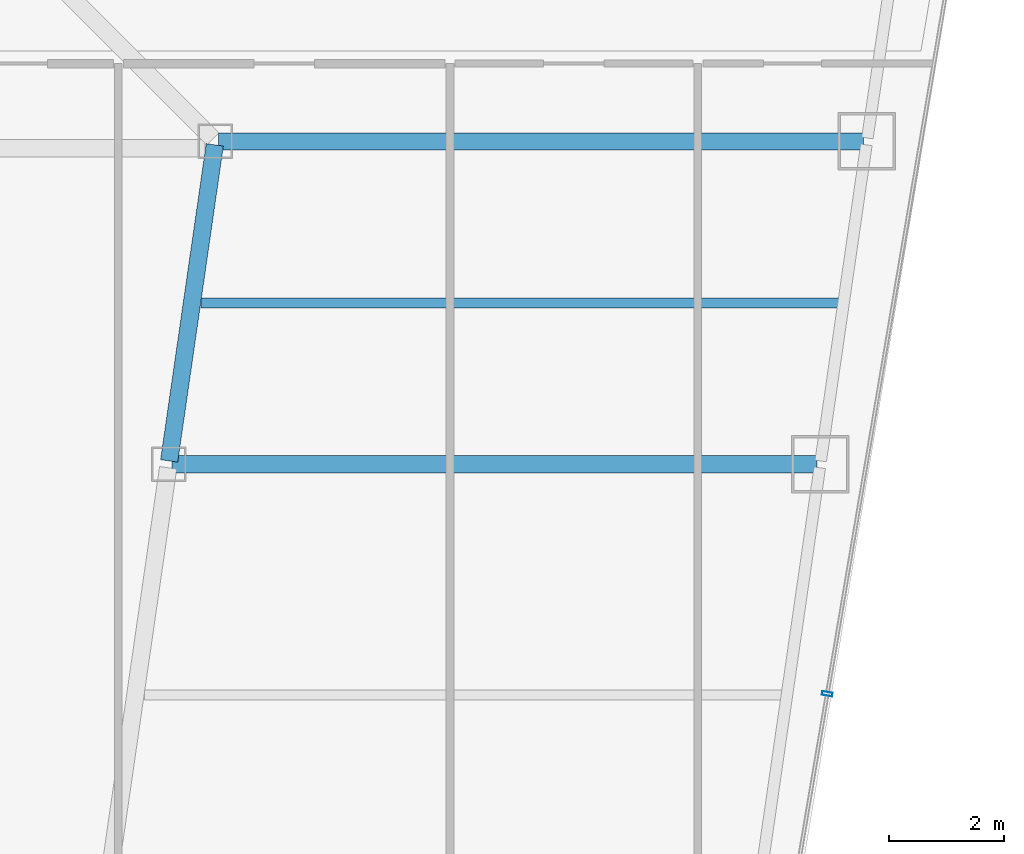
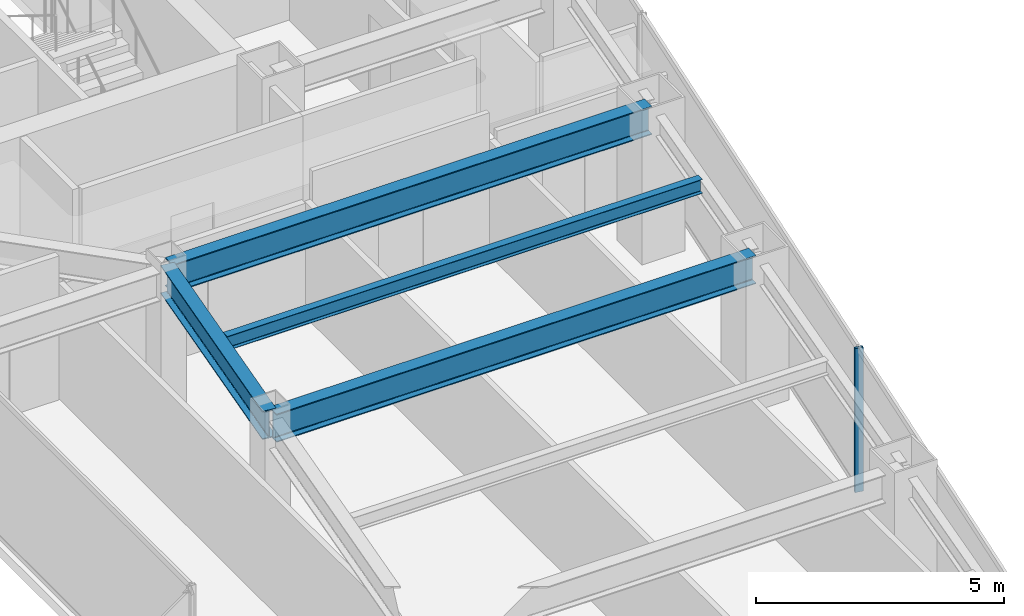
# One storey, part 11 of 31: 4 beams, 1 member, 1 element without a shape of its own.
"""IFC4 building model written with IfcOpenShell, lengths in metres."""

from ifc_helpers import new_model, si_unit, direction, frame, origin, origin_2d, place, context, subcontext, project, spatial, hollow_rectangle, i_section, extrude, material, material_profile, profile_set, type_object, element, aggregate, save


model = new_model("IFC4")

# Units and contexts
model_context = context("Model", 3, precision=1e-05, world=origin(), true_north=direction((0.0, 1.0)))
body_context = subcontext(model_context, "Body", "Model", "MODEL_VIEW")
ifc_project = project(units=[si_unit("LENGTHUNIT", "METRE"), si_unit("AREAUNIT", "SQUARE_METRE"), si_unit("VOLUMEUNIT", "CUBIC_METRE"), si_unit("PLANEANGLEUNIT", "RADIAN"), si_unit("MASSUNIT", "GRAM", prefix="KILO")], contexts=[model_context])

# Site, building, storey
site_placement = place(None, origin())
site = spatial("IfcSite", under=ifc_project, at=site_placement, CompositionType="ELEMENT")
building_placement = place(site_placement, origin())
building = spatial("IfcBuilding", under=site, at=building_placement, Name="Saevonmaru Cultural Tower", CompositionType="ELEMENT")
storey_placement = place(building_placement, frame((0.0, 0.0, 167.60009765625)))
storey = spatial("IfcBuildingStorey", under=building, at=storey_placement, Name="L37", CompositionType="ELEMENT", Elevation=167.60009765625)

# Beams
ifc_material_1 = material(Name="Steel SM355", Category="steel")
ifc_material_profile_1 = material_profile(ifc_material_1, i_section(OverallWidth=0.300048828125, OverallDepth=0.699951171875, WebThickness=0.012939453125, FlangeThickness=0.02392578125, FilletRadius=0.02587890625, at=origin_2d()), Name="H-700x300x13x24")
ifc_profile_set_1 = profile_set([ifc_material_profile_1], Name="Steel SM355")
beam_type_1 = type_object("IfcBeamType", Name="BM-G-H700", PredefinedType="BEAM", material=ifc_profile_set_1)
beam_1_placement = place(storey_placement, frame((40.3916015625, 32.059326171875, 3.199951171875), z_axis=(0.142964121327, 0.989727871697, 0.0), x_axis=(-0.989727871697, 0.142964121327, 0.0)))
element("IfcBeam", 1, at=beam_1_placement, inside=storey, type_object=beam_type_1, Name="L37 East Atrium Girder 3", PredefinedType="BEAM", context=body_context, shape_type="SweptSolid", body=[
    extrude(i_section(OverallWidth=0.300048828125, OverallDepth=0.699951171875, WebThickness=0.012939453125, FlangeThickness=0.02392578125, FilletRadius=0.02587890625, at=origin_2d()), origin(), (0.0, 0.0, 1.0), 5.5380859375),
])
for number, where, z_axis, x_axis, name in (
    (2, (40.443115234375, 32.0, 3.199951171875), (1.0, 0.0, 0.0), (0.0, 1.0, 0.0), "L37 East Wing Transverse Girder 3"),
    (3, (41.251953125, 37.60009765625, 3.199951171875), (1.0, 0.0, 0.0), (0.0, 1.0, 0.0), "L37 East Wing Transverse Girder 4"),
):
    element("IfcBeam", number, at=place(storey_placement, frame(where, z_axis=z_axis, x_axis=x_axis)), inside=storey, type_object=beam_type_1, Name=name, PredefinedType="BEAM", context=body_context, shape_type="SweptSolid", body=[
        extrude(i_section(OverallWidth=0.300048828125, OverallDepth=0.699951171875, WebThickness=0.012939453125, FlangeThickness=0.02392578125, FilletRadius=0.02587890625, at=origin_2d()), origin(), (0.0, 0.0, 1.0), 11.179931640625),
    ])
ifc_material_profile_2 = material_profile(ifc_material_1, i_section(OverallWidth=0.175048828125, OverallDepth=0.35009765625, WebThickness=0.007080078125, FlangeThickness=0.010986328125, FilletRadius=0.012939453125, at=origin_2d()), Name="H-350x175x7x11")
ifc_profile_set_2 = profile_set([ifc_material_profile_2], Name="Steel SM355")
beam_type_2 = type_object("IfcBeamType", Name="BM-J-H350", PredefinedType="JOIST", material=ifc_profile_set_2)
beam_2_placement = place(storey_placement, frame((40.945556640625, 34.800048828125, 3.375), z_axis=(1.0, 0.0, 0.0), x_axis=(0.0, 1.0, 0.0)))
element("IfcBeam", 4, at=beam_2_placement, inside=storey, type_object=beam_type_2, Name="L37 East Wing Floor Joist 3", PredefinedType="JOIST", context=body_context, shape_type="SweptSolid", body=[
    extrude(i_section(OverallWidth=0.175048828125, OverallDepth=0.35009765625, WebThickness=0.007080078125, FlangeThickness=0.010986328125, FilletRadius=0.012939453125, at=origin_2d()), origin(), (0.0, 0.0, 1.0), 11.08203125),
])

# Curtain wall, member
ifc_material_2 = material(Name="Satin Bronze Anodised Aluminium", Category="aluminium")
curtain_wall_type = type_object("IfcCurtainWallType", Name="CW-TYP-A", PredefinedType="NOTDEFINED", material=ifc_material_2)
curtain_wall_placement = place(storey_placement, origin())
curtain_wall = element("IfcCurtainWall", 5, at=curtain_wall_placement, inside=storey, type_object=curtain_wall_type, Name="L37 Unitised Curtain Wall E8", PredefinedType="NOTDEFINED")
ifc_material_profile_3 = material_profile(ifc_material_2, hollow_rectangle(XDim=0.06494140625, YDim=0.179931640625, WallThickness=0.00390625, at=origin_2d()), Name="ALU-MULL-180x65x4")
ifc_profile_set_3 = profile_set([ifc_material_profile_3], Name="Satin Bronze Anodised Aluminium")
member_type = type_object("IfcMemberType", Name="ML-CW-180x65", PredefinedType="MULLION", material=ifc_profile_set_3)
member_placement = place(storey_placement, frame((51.8046875, 28.019775390625, 0.0), z_axis=(0.0, 0.0, 1.0), x_axis=(0.16692169721, 0.985970155228, 0.0)))
member = element("IfcMember", 6, at=member_placement, type_object=member_type, Name="CW-TW-L37-E8 mullion 2", PredefinedType="MULLION", context=body_context, shape_type="SweptSolid", body=[
    extrude(hollow_rectangle(XDim=0.06494140625, YDim=0.179931640625, WallThickness=0.00390625, at=origin_2d()), origin(), (0.0, 0.0, 1.0), 3.5498046875),
])
aggregate(curtain_wall, [member])

save(model, "model.ifc")
